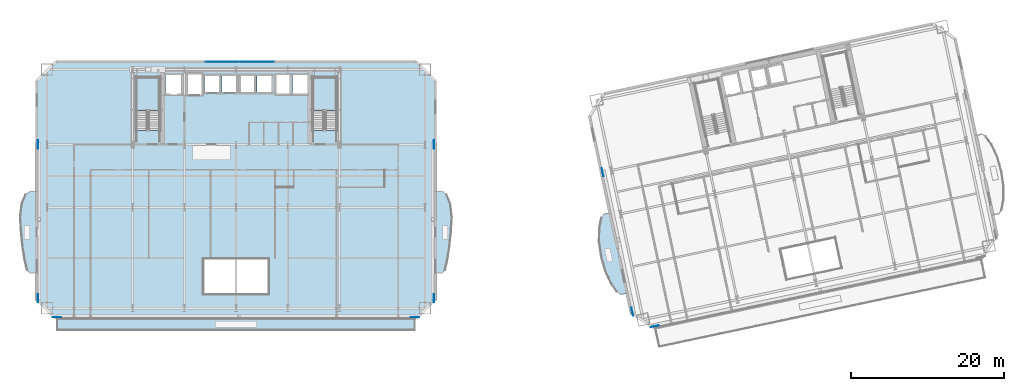
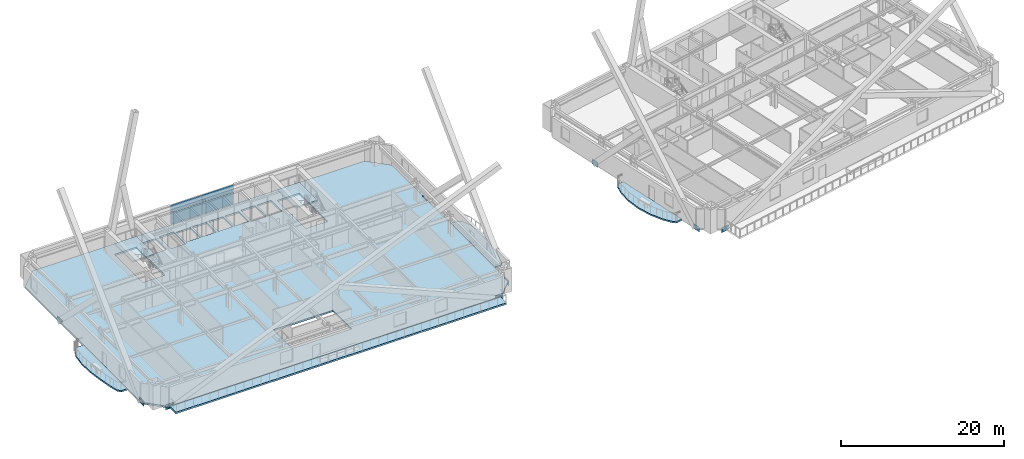
# One storey, part 9 of 25: 13 plates, 7 slabs, 3 elements without a shape of their own.
"""IFC4 building model written with IfcOpenShell, lengths in metres."""

from ifc_helpers import new_model, si_unit, direction, frame, origin, origin_2d, place, context, subcontext, project, spatial, polyline, rectangle, outline, extrude, material, layer, layer_set, type_object, element, aggregate, save


model = new_model("IFC4")

# Units and contexts
model_context = context("Model", 3, precision=1e-05, world=origin(), true_north=direction((0.0, 1.0)))
body_context = subcontext(model_context, "Body", "Model", "MODEL_VIEW")
ifc_project = project(units=[si_unit("LENGTHUNIT", "METRE"), si_unit("AREAUNIT", "SQUARE_METRE"), si_unit("VOLUMEUNIT", "CUBIC_METRE"), si_unit("PLANEANGLEUNIT", "RADIAN"), si_unit("MASSUNIT", "GRAM", prefix="KILO")], contexts=[model_context])

# Site, building, storey
site_placement = place(None, origin())
site = spatial("IfcSite", under=ifc_project, at=site_placement, CompositionType="ELEMENT")
building_placement = place(site_placement, origin())
building = spatial("IfcBuilding", under=site, at=building_placement, Name="Haevon Station Towers", CompositionType="ELEMENT")
storey_placement = place(building_placement, frame((0.0, 0.0, 50.39990234375)))
storey = spatial("IfcBuildingStorey", under=building, at=storey_placement, Name="L12", CompositionType="ELEMENT", Elevation=50.39990234375)

# Curtain wall, plates
ifc_material_1 = material(Name="Anodised aluminium and Low-E double glazing", Category="aluminium")
ifc_layer_1 = layer(ifc_material_1, 0.179931640625)
ifc_layer_set_1 = layer_set([ifc_layer_1], Name="Anodised aluminium and Low-E double glazing")
curtain_wall_type = type_object("IfcCurtainWallType", Name="CW-SYS4", PredefinedType="NOTDEFINED", material=ifc_layer_set_1)
curtain_wall_placement = place(storey_placement, origin())
curtain_wall = element("IfcCurtainWall", 1, at=curtain_wall_placement, inside=storey, type_object=curtain_wall_type, Name="L12 Curtain Wall CW-T1-L12-N", PredefinedType="NOTDEFINED")
ifc_material_2 = material(Name="Low-E double glazing", Category="glass")
ifc_layer_2 = layer(ifc_material_2, 0.028076171875)
ifc_layer_set_2 = layer_set([ifc_layer_2], Name="Low-E double glazing")
plate_type_1 = type_object("IfcPlateType", Name="CWP-GLZ28", PredefinedType="CURTAIN_PANEL", material=ifc_layer_set_2)
plate_1_placement = place(storey_placement, frame((35.766357421875, 49.0, 0.06005859375), z_axis=(0.0, 0.0, 1.0), x_axis=(1.0, 0.0, 0.0)))
plate_1 = element("IfcPlate", 2, at=plate_1_placement, type_object=plate_type_1, Name="CW-SYS4 panel 1.1", PredefinedType="CURTAIN_PANEL", context=body_context, shape_type="SweptSolid", body=[
    extrude(rectangle(XDim=4.402587890625, YDim=0.028076171875, at=origin_2d()), origin(), (0.0, 0.0, 1.0), 1.77001953125),
])
plate_2_placement = place(storey_placement, frame((35.766357421875, 49.0, 1.89013671875), z_axis=(0.0, 0.0, 1.0), x_axis=(1.0, 0.0, 0.0)))
plate_2 = element("IfcPlate", 3, at=plate_2_placement, type_object=plate_type_1, Name="CW-SYS4 panel 1.2", PredefinedType="CURTAIN_PANEL", context=body_context, shape_type="SweptSolid", body=[
    extrude(rectangle(XDim=4.402587890625, YDim=0.028076171875, at=origin_2d()), origin(), (0.0, 0.0, 1.0), 1.050048828125),
])
plate_3_placement = place(storey_placement, frame((40.233642578125, 49.0, 0.06005859375), z_axis=(0.0, 0.0, 1.0), x_axis=(1.0, 0.0, 0.0)))
plate_3 = element("IfcPlate", 4, at=plate_3_placement, type_object=plate_type_1, Name="CW-SYS4 panel 2.1", PredefinedType="CURTAIN_PANEL", context=body_context, shape_type="SweptSolid", body=[
    extrude(rectangle(XDim=4.402587890625, YDim=0.028076171875, at=origin_2d()), origin(), (0.0, 0.0, 1.0), 1.77001953125),
])
plate_4_placement = place(storey_placement, frame((40.233642578125, 49.0, 1.89013671875), z_axis=(0.0, 0.0, 1.0), x_axis=(1.0, 0.0, 0.0)))
plate_4 = element("IfcPlate", 5, at=plate_4_placement, type_object=plate_type_1, Name="CW-SYS4 panel 2.2", PredefinedType="CURTAIN_PANEL", context=body_context, shape_type="SweptSolid", body=[
    extrude(rectangle(XDim=4.402587890625, YDim=0.028076171875, at=origin_2d()), origin(), (0.0, 0.0, 1.0), 1.050048828125),
])
aggregate(curtain_wall, [plate_1, plate_2, plate_3, plate_4])

# Plates
ifc_material_3 = material(Name="PL-SPL1", Category="steel")
ifc_layer_3 = layer(ifc_material_3, 0.031982421875)
ifc_layer_set_3 = layer_set([ifc_layer_3], Name="PL-SPL1")
plate_type_2 = type_object("IfcPlateType", Name="PL-SPL1", PredefinedType="USERDEFINED", material=ifc_layer_set_3)
for number, where, z_axis, x_axis, name in (
    (6, (14.14990234375, 15.679931640625, -0.494873046875), (0.0, 0.0, 1.0), (1.0, 0.0, 0.0), "PL-T1SPL-T01-S-1"),
    (7, (60.85009765625, 15.679931640625, -0.494873046875), (0.0, 0.0, 1.0), (1.0, 0.0, 0.0), "PL-T1SPL-T01-S-2"),
    (8, (11.679931640625, 18.14990234375, -0.494873046875), (0.0, 0.0, 1.0), (0.0, 1.0, 0.0), "PL-T1SPL-T01-W-1"),
    (9, (11.679931640625, 38.199951171875, -0.494873046875), (0.0, 0.0, 1.0), (0.0, 1.0, 0.0), "PL-T1SPL-T01-W-2"),
    (10, (63.320068359375, 18.14990234375, -0.494873046875), (0.0, 0.0, 1.0), (0.0, 1.0, 0.0), "PL-T1SPL-T01-E-1"),
    (11, (63.320068359375, 38.199951171875, -0.494873046875), (0.0, 0.0, 1.0), (0.0, 1.0, 0.0), "PL-T1SPL-T01-E-2"),
    (12, (92.12890625, 14.493896484375, -0.494873046875), (0.0, 0.0, 1.0), (0.978147600734, 0.207911690818, 0.0), "PL-T2SPL-T01-S-1"),
    (13, (89.19921875, 16.396240234375, -0.494873046875), (0.0, 0.0, 1.0), (-0.207911690818, 0.978147600734, 0.0), "PL-T2SPL-T01-W-1"),
    (14, (85.332275390625, 34.58984375, -0.494873046875), (0.0, 0.0, 1.0), (-0.207911690818, 0.978147600734, 0.0), "PL-T2SPL-T01-W-2"),
):
    element("IfcPlate", number, at=place(storey_placement, frame(where, z_axis=z_axis, x_axis=x_axis)), inside=storey, type_object=plate_type_2, Name=name, ObjectType="SPLICE_PLATE", PredefinedType="USERDEFINED", context=body_context, shape_type="SweptSolid", body=[
        extrude(rectangle(XDim=1.10009765625, YDim=0.031982421875, at=origin_2d()), origin(), (0.0, 0.0, 1.0), 0.75),
    ])

# Slabs
ifc_material_4 = material(Name="Concrete C40/50", Category="concrete")
ifc_layer_4 = layer(ifc_material_4, 0.219970703125)
ifc_layer_set_4 = layer_set([ifc_layer_4], Name="Concrete C40/50")
slab_type_1 = type_object("IfcSlabType", Name="SL-BALC220", PredefinedType="FLOOR", material=ifc_layer_set_4)
slab_1_placement = place(storey_placement, frame((0.0, 0.0, -0.219970703125)))
element("IfcSlab", 15, at=slab_1_placement, inside=storey, type_object=slab_type_1, Name="Tower 1 L12 West SCALLOPED BALCONY", PredefinedType="FLOOR", context=body_context, shape_type="SweptSolid", body=[
    extrude(outline(polyline([(11.4951171875, 32.14990234375), (10.613037109375, 32.14990234375), (10.03173828125, 31.739013671875), (9.541015625, 30.568359375), (9.316162109375, 28.81640625), (9.39501953125, 26.75), (9.6591796875, 24.68359375), (9.96240234375, 22.931640625), (10.261962890625, 21.760986328125), (10.613037109375, 21.35009765625), (11.4951171875, 21.35009765625), (11.4951171875, 32.14990234375)])), origin(), (0.0, 0.0, 1.0), 0.219970703125),
])
slab_2_placement = place(storey_placement, frame((0.0, 0.0, -0.219970703125)))
element("IfcSlab", 16, at=slab_2_placement, inside=storey, type_object=slab_type_1, Name="Tower 1 L12 East SCALLOPED BALCONY", PredefinedType="FLOOR", context=body_context, shape_type="SweptSolid", body=[
    extrude(outline(polyline([(63.5048828125, 21.35009765625), (64.386962890625, 21.35009765625), (64.738037109375, 21.760986328125), (65.03759765625, 22.931640625), (65.3408203125, 24.68359375), (65.60498046875, 26.75), (65.683837890625, 28.81640625), (65.458984375, 30.568359375), (64.96826171875, 31.739013671875), (64.386962890625, 32.14990234375), (63.5048828125, 32.14990234375), (63.5048828125, 21.35009765625)])), origin(), (0.0, 0.0, 1.0), 0.219970703125),
])
slab_3_placement = place(storey_placement, frame((0.0, 0.0, -0.219970703125)))
element("IfcSlab", 17, at=slab_3_placement, inside=storey, type_object=slab_type_1, Name="Tower 2 L12 West SCALLOPED BALCONY", PredefinedType="FLOOR", context=body_context, shape_type="SweptSolid", body=[
    extrude(outline(polyline([(86.25830078125, 29.3427734375), (85.427001953125, 29.166015625), (85.137939453125, 28.684326171875), (84.882080078125, 27.433349609375), (84.8203125, 25.629150390625), (85.078857421875, 23.5712890625), (85.679443359375, 21.58642578125), (86.4697265625, 19.96337890625), (87.21240234375, 18.924560546875), (87.67236328125, 18.60205078125), (88.503662109375, 18.77880859375), (86.25830078125, 29.3427734375)])), origin(), (0.0, 0.0, 1.0), 0.219970703125),
])

# Stair, slab
stair_type = type_object("IfcStairType", Name="STR-DL1450", PredefinedType="USERDEFINED", material=ifc_material_4)
stair_1_placement = place(storey_placement, origin())
stair_1 = element("IfcStair", 18, at=stair_1_placement, inside=storey, type_object=stair_type, Name="L12 Escape Stair ST1", ObjectType="TWO_RETURN_STAIR", PredefinedType="USERDEFINED")
ifc_layer_5 = layer(ifc_material_4, 0.199951171875)
ifc_layer_set_5 = layer_set([ifc_layer_5], Name="Concrete C40/50")
slab_type_2 = type_object("IfcSlabType", Name="SL-LND200", PredefinedType="LANDING", material=ifc_layer_set_5)
slab_4_placement = place(storey_placement, frame((0.0, 0.0, 1.4501953125)))
slab_4 = element("IfcSlab", 19, at=slab_4_placement, type_object=slab_type_2, Name="L12 ST1 Half Landing 1", PredefinedType="LANDING", context=body_context, shape_type="SweptSolid", body=[
    extrude(outline(polyline([(27.580078125, 42.56396484375), (27.580078125, 47.0), (24.47998046875, 47.0), (24.47998046875, 42.56396484375), (27.580078125, 42.56396484375)])), origin(), (0.0, 0.0, 1.0), 0.199951171875),
])
aggregate(stair_1, [slab_4])

stair_2_placement = place(storey_placement, origin())
stair_2 = element("IfcStair", 20, at=stair_2_placement, inside=storey, type_object=stair_type, Name="L12 Escape Stair ST2", ObjectType="TWO_RETURN_STAIR", PredefinedType="USERDEFINED")
slab_5_placement = place(storey_placement, frame((0.0, 0.0, 1.4501953125)))
slab_5 = element("IfcSlab", 21, at=slab_5_placement, type_object=slab_type_2, Name="L12 ST2 Half Landing 1", PredefinedType="LANDING", context=body_context, shape_type="SweptSolid", body=[
    extrude(outline(polyline([(50.6201171875, 42.56396484375), (50.6201171875, 47.0), (47.52001953125, 47.0), (47.52001953125, 42.56396484375), (50.6201171875, 42.56396484375)])), origin(), (0.0, 0.0, 1.0), 0.199951171875),
])
aggregate(stair_2, [slab_5])

# Slabs
ifc_layer_6 = layer(ifc_material_4, 0.25)
ifc_layer_set_6 = layer_set([ifc_layer_6], Name="Concrete C40/50")
slab_type_3 = type_object("IfcSlabType", Name="SL-TERR250", PredefinedType="FLOOR", material=ifc_layer_set_6)
slab_6_placement = place(storey_placement, frame((0.0, 0.0, -0.25)))
element("IfcSlab", 22, at=slab_6_placement, inside=storey, type_object=slab_type_3, Name="Tower 1 L12 Sky Garden Terrace", PredefinedType="FLOOR", context=body_context, shape_type="SweptSolid", body=[
    extrude(outline(polyline([(14.10009765625, 14.0), (60.89990234375, 14.0), (60.89990234375, 15.4951171875), (14.10009765625, 15.4951171875), (14.10009765625, 14.0)])), origin(), (0.0, 0.0, 1.0), 0.25),
])
ifc_layer_7 = layer(ifc_material_4, 0.25)
ifc_layer_set_7 = layer_set([ifc_layer_7], Name="Concrete C40/50")
slab_type_4 = type_object("IfcSlabType", Name="SL-TW250", PredefinedType="FLOOR", material=ifc_layer_set_7)
slab_7_placement = place(storey_placement, frame((0.0, 0.0, -0.25)))
element("IfcSlab", 23, at=slab_7_placement, inside=storey, type_object=slab_type_4, Name="SL-T1-L12", PredefinedType="FLOOR", context=body_context, shape_type="SweptSolid", body=[
    extrude(outline(polyline([(14.0, 15.5), (61.0, 15.5), (63.5, 18.0), (63.5, 46.5), (61.0, 49.0), (14.0, 49.0), (11.5, 46.5), (11.5, 18.0), (14.0, 15.5)]), holes=[polyline([(27.580078125, 40.055908203125), (27.580078125, 47.0), (24.47998046875, 47.0), (24.47998046875, 40.055908203125), (27.580078125, 40.055908203125)]), polyline([(50.6201171875, 40.055908203125), (50.6201171875, 47.0), (47.52001953125, 47.0), (47.52001953125, 40.055908203125), (50.6201171875, 40.055908203125)]), polyline([(28.300048828125, 44.699951171875), (30.5, 44.699951171875), (30.5, 47.39990234375), (28.300048828125, 47.39990234375), (28.300048828125, 44.699951171875)]), polyline([(31.050048828125, 44.60009765625), (33.14990234375, 44.60009765625), (33.14990234375, 47.5), (31.050048828125, 47.5), (31.050048828125, 44.60009765625)]), polyline([(33.39990234375, 44.89990234375), (35.39990234375, 44.89990234375), (35.39990234375, 47.300048828125), (33.39990234375, 47.300048828125), (33.39990234375, 44.89990234375)]), polyline([(35.64990234375, 44.89990234375), (37.64990234375, 44.89990234375), (37.64990234375, 47.300048828125), (35.64990234375, 47.300048828125), (35.64990234375, 44.89990234375)]), polyline([(38.0, 44.89990234375), (40.0, 44.89990234375), (40.0, 47.300048828125), (38.0, 47.300048828125), (38.0, 44.89990234375)]), polyline([(40.25, 44.89990234375), (42.25, 44.89990234375), (42.25, 47.300048828125), (40.25, 47.300048828125), (40.25, 44.89990234375)]), polyline([(42.60009765625, 44.699951171875), (44.60009765625, 44.699951171875), (44.60009765625, 47.39990234375), (42.60009765625, 47.39990234375), (42.60009765625, 44.699951171875)]), polyline([(44.85009765625, 44.699951171875), (46.85009765625, 44.699951171875), (46.85009765625, 47.39990234375), (44.85009765625, 47.39990234375), (44.85009765625, 44.699951171875)]), polyline([(33.300048828125, 18.699951171875), (41.699951171875, 18.699951171875), (41.699951171875, 23.300048828125), (33.300048828125, 23.300048828125), (33.300048828125, 18.699951171875)])]), origin(), (0.0, 0.0, 1.0), 0.25),
])

save(model, "model.ifc")
